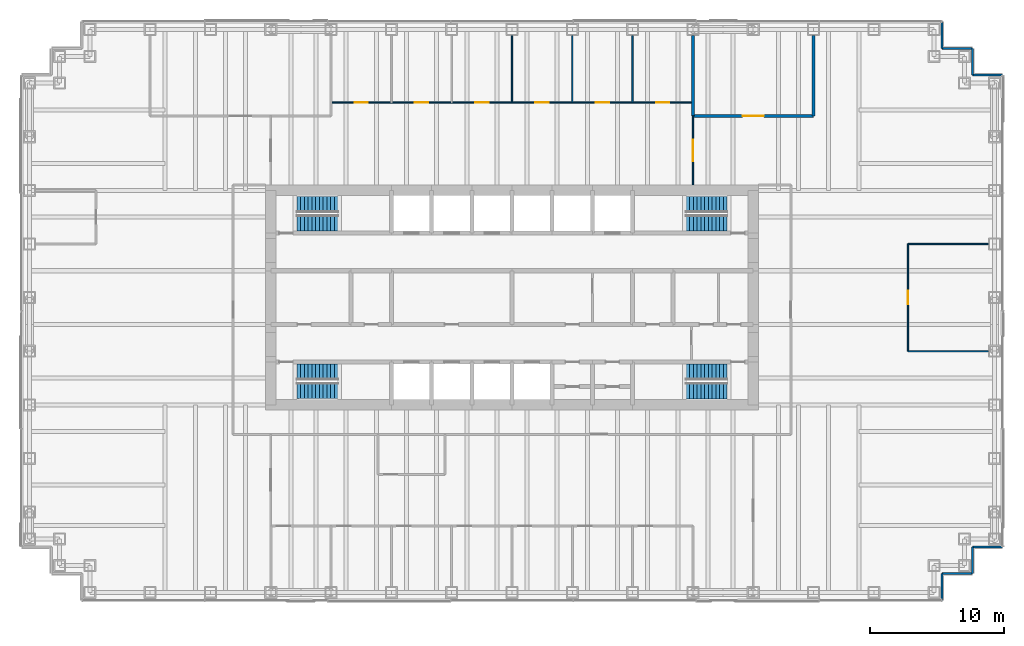
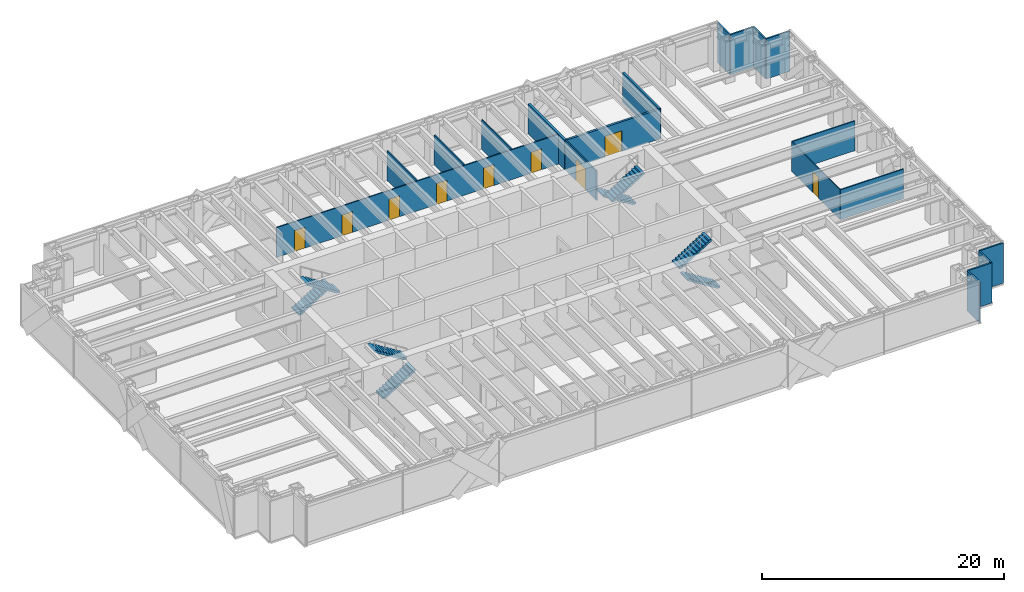
# One storey, part 13 of 14: 19 walls, 9 doors, 8 stair flights, 9 openings, 4 elements without a shape of their own.
"""IFC4 building model written with IfcOpenShell, lengths in metres."""

from ifc_helpers import new_model, si_unit, direction, frame, frame_2d, origin, place, context, subcontext, project, spatial, polyline, rectangle, outline, extrude, material, layer, layer_set, type_object, element, fill, aggregate, save


model = new_model("IFC4")

# Units and contexts
model_context = context("Model", 3, precision=1e-05, world=origin(), true_north=direction((0.0, 1.0)))
body_context = subcontext(model_context, "Body", "Model", "MODEL_VIEW")
ifc_project = project(units=[si_unit("LENGTHUNIT", "METRE"), si_unit("AREAUNIT", "SQUARE_METRE"), si_unit("VOLUMEUNIT", "CUBIC_METRE"), si_unit("PLANEANGLEUNIT", "RADIAN"), si_unit("MASSUNIT", "GRAM", prefix="KILO")], contexts=[model_context])

# Site, building, storey
site_placement = place(None, origin())
site = spatial("IfcSite", under=ifc_project, at=site_placement, CompositionType="ELEMENT")
building_placement = place(site_placement, origin())
building = spatial("IfcBuilding", under=site, at=building_placement, Name="Rheinbord Bourse Tower", CompositionType="ELEMENT")
storey_placement = place(building_placement, frame((0.0, 0.0, 198.39990234375)))
storey = spatial("IfcBuildingStorey", under=building, at=storey_placement, Name="L44", CompositionType="ELEMENT", Elevation=198.39990234375)

# Wall, opening, door
ifc_material_1 = material(Name="Acoustic gypsum board partition", Category="gypsum board")
ifc_layer_1 = layer(ifc_material_1, 0.199951171875)
ifc_layer_set_1 = layer_set([ifc_layer_1], Name="ACOUSTIC PARTITION 200")
wall_type_1 = type_object("IfcWallType", Name="ACOUSTIC PARTITION 200", PredefinedType="PARTITIONING", material=ifc_layer_set_1)
wall_1_placement = place(storey_placement, frame((49.5, 37.550048828125, 0.0), z_axis=(0.0, 0.0, 1.0), x_axis=(1.0, 0.0, 0.0)))
wall_1 = element("IfcWall", 1, at=wall_1_placement, inside=storey, type_object=wall_type_1, Name="Partition L44-13", PredefinedType="PARTITIONING", context=body_context, shape_type="SweptSolid", body=[
    extrude(rectangle(XDim=9.0, YDim=0.199951171875, at=frame_2d((4.5, 0.0))), origin(), (0.0, 0.0, 1.0), 3.0),
])
opening_1_placement = place(wall_1_placement, frame((3.699951171875, 0.0, 0.0)))
opening_1 = element("IfcOpeningElement", 2, at=opening_1_placement, cuts=wall_1, Name="Opening 44D11", PredefinedType="OPENING", context=body_context, shape_type="SweptSolid", body=[
    extrude(rectangle(XDim=1.60009765625, YDim=2.10009765625, at=frame_2d((0.800048828125, 1.050048828125))), frame((0.0, 0.10986328125, 0.0), z_axis=(0.0, -1.0, 0.0), x_axis=(1.0, 0.0, 0.0)), (0.0, 0.0, 1.0), 0.219970703125),
])
ifc_material_2 = material(Name="Timber door", Category="wood")
door_type_1 = type_object("IfcDoorType", Name="DOUBLE ROOM DOOR 1600", OperationType="DOUBLE_DOOR_DOUBLE_SWING", PredefinedType="DOOR", material=ifc_material_2)
door_1_placement = place(opening_1_placement, origin())
door_1 = element("IfcDoor", 3, at=door_1_placement, inside=storey, type_object=door_type_1, Name="Video conference room door L44", OperationType="SINGLE_SWING_LEFT", OverallHeight=2.10009765625, OverallWidth=1.60009765625, PredefinedType="DOOR", context=body_context, shape_type="SweptSolid", body=[
    extrude(rectangle(XDim=1.60009765625, YDim=2.10009765625, at=frame_2d((0.800048828125, 1.050048828125))), frame((0.0, 0.02490234375, 0.0), z_axis=(0.0, -1.0, 0.0), x_axis=(1.0, 0.0, 0.0)), (0.0, 0.0, 1.0), 0.050048828125),
])
fill(opening_1, door_1)

# Walls
for number, where, z_axis, x_axis, name in (
    (4, (49.5, 37.550048828125, 0.0), (0.0, 0.0, 1.0), (0.0, 1.0, 0.0), "Partition L44-37"),
    (5, (58.5, 37.550048828125, 0.0), (0.0, 0.0, 1.0), (0.0, 1.0, 0.0), "Partition L44-40"),
):
    element("IfcWall", number, at=place(storey_placement, frame(where, z_axis=z_axis, x_axis=x_axis)), inside=storey, type_object=wall_type_1, Name=name, PredefinedType="PARTITIONING", context=body_context, shape_type="SweptSolid", body=[
        extrude(rectangle(XDim=6.0, YDim=0.199951171875, at=frame_2d((3.0, 0.0))), origin(), (0.0, 0.0, 1.0), 3.0),
    ])
ifc_material_3 = material(Name="Black metal rainscreen panel", Category="aluminium")
ifc_layer_2 = layer(ifc_material_3, 0.14990234375)
ifc_layer_set_2 = layer_set([ifc_layer_2], Name="CORNER PIER CLADDING 150")
wall_type_2 = type_object("IfcWallType", Name="CORNER PIER CLADDING 150", PredefinedType="ELEMENTEDWALL", material=ifc_layer_set_2)
wall_2_placement = place(storey_placement, frame((68.10009765625, 1.39990234375, 0.0), z_axis=(0.0, 0.0, 1.0), x_axis=(0.0, 1.0, 0.0)))
element("IfcWall", 6, at=wall_2_placement, inside=storey, type_object=wall_type_2, Name="Corner pier cladding L44 2", PredefinedType="ELEMENTEDWALL", context=body_context, shape_type="SweptSolid", body=[
    extrude(rectangle(XDim=2.0, YDim=0.14990234375, at=frame_2d((1.0, 0.0))), origin(), (0.0, 0.0, 1.0), 4.0400390625),
])
wall_3_placement = place(storey_placement, frame((68.10009765625, 3.39990234375, 0.0), z_axis=(0.0, 0.0, 1.0), x_axis=(1.0, 0.0, 0.0)))
element("IfcWall", 7, at=wall_3_placement, inside=storey, type_object=wall_type_2, Name="Corner pier cladding L44 3", PredefinedType="ELEMENTEDWALL", context=body_context, shape_type="SweptSolid", body=[
    extrude(rectangle(XDim=2.25, YDim=0.14990234375, at=frame_2d((1.125, 0.0))), origin(), (0.0, 0.0, 1.0), 4.0400390625),
])
wall_4_placement = place(storey_placement, frame((70.35009765625, 3.39990234375, 0.0), z_axis=(0.0, 0.0, 1.0), x_axis=(0.0, 1.0, 0.0)))
element("IfcWall", 8, at=wall_4_placement, inside=storey, type_object=wall_type_2, Name="Corner pier cladding L44 4", PredefinedType="ELEMENTEDWALL", context=body_context, shape_type="SweptSolid", body=[
    extrude(rectangle(XDim=2.0, YDim=0.14990234375, at=frame_2d((1.0, 0.0))), origin(), (0.0, 0.0, 1.0), 4.0400390625),
])
for number, where, z_axis, x_axis, name in (
    (9, (70.35009765625, 5.39990234375, 0.0), (0.0, 0.0, 1.0), (1.0, 0.0, 0.0), "Corner pier cladding L44 5"),
    (10, (72.60009765625, 40.60009765625, 0.0), (0.0, 0.0, 1.0), (-1.0, 0.0, 0.0), "Corner pier cladding L44 7"),
):
    element("IfcWall", number, at=place(storey_placement, frame(where, z_axis=z_axis, x_axis=x_axis)), inside=storey, type_object=wall_type_2, Name=name, PredefinedType="ELEMENTEDWALL", context=body_context, shape_type="SweptSolid", body=[
        extrude(rectangle(XDim=2.25, YDim=0.14990234375, at=frame_2d((1.125, 0.0))), origin(), (0.0, 0.0, 1.0), 4.0400390625),
    ])
wall_5_placement = place(storey_placement, frame((70.35009765625, 40.60009765625, 0.0), z_axis=(0.0, 0.0, 1.0), x_axis=(0.0, 1.0, 0.0)))
element("IfcWall", 11, at=wall_5_placement, inside=storey, type_object=wall_type_2, Name="Corner pier cladding L44 8", PredefinedType="ELEMENTEDWALL", context=body_context, shape_type="SweptSolid", body=[
    extrude(rectangle(XDim=2.0, YDim=0.14990234375, at=frame_2d((1.0, 0.0))), origin(), (0.0, 0.0, 1.0), 4.0400390625),
])
wall_6_placement = place(storey_placement, frame((70.35009765625, 42.60009765625, 0.0), z_axis=(0.0, 0.0, 1.0), x_axis=(-1.0, 0.0, 0.0)))
element("IfcWall", 12, at=wall_6_placement, inside=storey, type_object=wall_type_2, Name="Corner pier cladding L44 9", PredefinedType="ELEMENTEDWALL", context=body_context, shape_type="SweptSolid", body=[
    extrude(rectangle(XDim=2.25, YDim=0.14990234375, at=frame_2d((1.125, 0.0))), origin(), (0.0, 0.0, 1.0), 4.0400390625),
])
wall_7_placement = place(storey_placement, frame((68.10009765625, 42.60009765625, 0.0), z_axis=(0.0, 0.0, 1.0), x_axis=(0.0, 1.0, 0.0)))
element("IfcWall", 13, at=wall_7_placement, inside=storey, type_object=wall_type_2, Name="Corner pier cladding L44 10", PredefinedType="ELEMENTEDWALL", context=body_context, shape_type="SweptSolid", body=[
    extrude(rectangle(XDim=2.0, YDim=0.14990234375, at=frame_2d((1.0, 0.0))), origin(), (0.0, 0.0, 1.0), 4.0400390625),
])
ifc_material_4 = material(Name="Toughened laminated glass partition", Category="glass")
ifc_layer_3 = layer(ifc_material_4, 0.10009765625)
ifc_layer_set_3 = layer_set([ifc_layer_3], Name="GLAZED PARTITION 100")
wall_type_3 = type_object("IfcWallType", Name="GLAZED PARTITION 100", PredefinedType="PARTITIONING", material=ifc_layer_set_3)
for number, where, z_axis, x_axis, name in (
    (14, (65.550048828125, 20.0, 0.0), (0.0, 0.0, 1.0), (1.0, 0.0, 0.0), "Partition L44-06"),
    (15, (65.550048828125, 28.0, 0.0), (0.0, 0.0, 1.0), (1.0, 0.0, 0.0), "Partition L44-08"),
):
    element("IfcWall", number, at=place(storey_placement, frame(where, z_axis=z_axis, x_axis=x_axis)), inside=storey, type_object=wall_type_3, Name=name, PredefinedType="PARTITIONING", context=body_context, shape_type="SweptSolid", body=[
        extrude(rectangle(XDim=6.0, YDim=0.10009765625, at=frame_2d((3.0, 0.0))), origin(), (0.0, 0.0, 1.0), 3.0),
    ])

# Wall, openings, doors
wall_8_placement = place(storey_placement, frame((22.5, 38.550048828125, 0.0), z_axis=(0.0, 0.0, 1.0), x_axis=(1.0, 0.0, 0.0)))
wall_8 = element("IfcWall", 16, at=wall_8_placement, inside=storey, type_object=wall_type_3, Name="Partition L44-14", PredefinedType="PARTITIONING", context=body_context, shape_type="SweptSolid", body=[
    extrude(rectangle(XDim=27.0, YDim=0.10009765625, at=frame_2d((13.5, 0.0))), origin(), (0.0, 0.0, 1.0), 3.0),
])
opening_2_placement = place(wall_8_placement, frame((1.75, 0.0, 0.0)))
opening_2 = element("IfcOpeningElement", 17, at=opening_2_placement, cuts=wall_8, Name="Opening 44D13", PredefinedType="OPENING", context=body_context, shape_type="SweptSolid", body=[
    extrude(rectangle(XDim=1.0, YDim=2.10009765625, at=frame_2d((0.5, 1.050048828125))), frame((0.0, 0.06005859375, 0.0), z_axis=(0.0, -1.0, 0.0), x_axis=(1.0, 0.0, 0.0)), (0.0, 0.0, 1.0), 0.1201171875),
])
opening_3_placement = place(wall_8_placement, frame((6.25, 0.0, 0.0)))
opening_3 = element("IfcOpeningElement", 18, at=opening_3_placement, cuts=wall_8, Name="Opening 44D14", PredefinedType="OPENING", context=body_context, shape_type="SweptSolid", body=[
    extrude(rectangle(XDim=1.0, YDim=2.10009765625, at=frame_2d((0.5, 1.050048828125))), frame((0.0, 0.06005859375, 0.0), z_axis=(0.0, -1.0, 0.0), x_axis=(1.0, 0.0, 0.0)), (0.0, 0.0, 1.0), 0.1201171875),
])
opening_4_placement = place(wall_8_placement, frame((10.75, 0.0, 0.0)))
opening_4 = element("IfcOpeningElement", 19, at=opening_4_placement, cuts=wall_8, Name="Opening 44D15", PredefinedType="OPENING", context=body_context, shape_type="SweptSolid", body=[
    extrude(rectangle(XDim=1.0, YDim=2.10009765625, at=frame_2d((0.5, 1.050048828125))), frame((0.0, 0.06005859375, 0.0), z_axis=(0.0, -1.0, 0.0), x_axis=(1.0, 0.0, 0.0)), (0.0, 0.0, 1.0), 0.1201171875),
])
opening_5_placement = place(wall_8_placement, frame((15.25, 0.0, 0.0)))
opening_5 = element("IfcOpeningElement", 20, at=opening_5_placement, cuts=wall_8, Name="Opening 44D16", PredefinedType="OPENING", context=body_context, shape_type="SweptSolid", body=[
    extrude(rectangle(XDim=1.0, YDim=2.10009765625, at=frame_2d((0.5, 1.050048828125))), frame((0.0, 0.06005859375, 0.0), z_axis=(0.0, -1.0, 0.0), x_axis=(1.0, 0.0, 0.0)), (0.0, 0.0, 1.0), 0.1201171875),
])
opening_6_placement = place(wall_8_placement, frame((19.75, 0.0, 0.0)))
opening_6 = element("IfcOpeningElement", 21, at=opening_6_placement, cuts=wall_8, Name="Opening 44D17", PredefinedType="OPENING", context=body_context, shape_type="SweptSolid", body=[
    extrude(rectangle(XDim=1.0, YDim=2.10009765625, at=frame_2d((0.5, 1.050048828125))), frame((0.0, 0.06005859375, 0.0), z_axis=(0.0, -1.0, 0.0), x_axis=(1.0, 0.0, 0.0)), (0.0, 0.0, 1.0), 0.1201171875),
])
opening_7_placement = place(wall_8_placement, frame((24.25, 0.0, 0.0)))
opening_7 = element("IfcOpeningElement", 22, at=opening_7_placement, cuts=wall_8, Name="Opening 44D18", PredefinedType="OPENING", context=body_context, shape_type="SweptSolid", body=[
    extrude(rectangle(XDim=1.0, YDim=2.10009765625, at=frame_2d((0.5, 1.050048828125))), frame((0.0, 0.06005859375, 0.0), z_axis=(0.0, -1.0, 0.0), x_axis=(1.0, 0.0, 0.0)), (0.0, 0.0, 1.0), 0.1201171875),
])
ifc_material_5 = material(Name="Timber door", Category="wood")
door_type_2 = type_object("IfcDoorType", Name="ROOM DOOR 1000", OperationType="SINGLE_SWING_LEFT", PredefinedType="DOOR", material=ifc_material_5)
door_2_placement = place(opening_2_placement, origin())
door_2 = element("IfcDoor", 23, at=door_2_placement, inside=storey, type_object=door_type_2, Name="Client meeting room door L44", OperationType="SINGLE_SWING_LEFT", OverallHeight=2.10009765625, OverallWidth=1.0, PredefinedType="DOOR", context=body_context, shape_type="SweptSolid", body=[
    extrude(rectangle(XDim=1.0, YDim=2.10009765625, at=frame_2d((0.5, 1.050048828125))), frame((0.0, 0.02490234375, 0.0), z_axis=(0.0, -1.0, 0.0), x_axis=(1.0, 0.0, 0.0)), (0.0, 0.0, 1.0), 0.050048828125),
])
fill(opening_2, door_2)
door_3_placement = place(opening_3_placement, origin())
door_3 = element("IfcDoor", 24, at=door_3_placement, inside=storey, type_object=door_type_2, Name="Client meeting room door L44", OperationType="SINGLE_SWING_LEFT", OverallHeight=2.10009765625, OverallWidth=1.0, PredefinedType="DOOR", context=body_context, shape_type="SweptSolid", body=[
    extrude(rectangle(XDim=1.0, YDim=2.10009765625, at=frame_2d((0.5, 1.050048828125))), frame((0.0, 0.02490234375, 0.0), z_axis=(0.0, -1.0, 0.0), x_axis=(1.0, 0.0, 0.0)), (0.0, 0.0, 1.0), 0.050048828125),
])
fill(opening_3, door_3)
door_4_placement = place(opening_4_placement, origin())
door_4 = element("IfcDoor", 25, at=door_4_placement, inside=storey, type_object=door_type_2, Name="Client meeting room door L44", OperationType="SINGLE_SWING_LEFT", OverallHeight=2.10009765625, OverallWidth=1.0, PredefinedType="DOOR", context=body_context, shape_type="SweptSolid", body=[
    extrude(rectangle(XDim=1.0, YDim=2.10009765625, at=frame_2d((0.5, 1.050048828125))), frame((0.0, 0.02490234375, 0.0), z_axis=(0.0, -1.0, 0.0), x_axis=(1.0, 0.0, 0.0)), (0.0, 0.0, 1.0), 0.050048828125),
])
fill(opening_4, door_4)
door_5_placement = place(opening_5_placement, origin())
door_5 = element("IfcDoor", 26, at=door_5_placement, inside=storey, type_object=door_type_2, Name="Client meeting room door L44", OperationType="SINGLE_SWING_RIGHT", OverallHeight=2.10009765625, OverallWidth=1.0, PredefinedType="DOOR", context=body_context, shape_type="SweptSolid", body=[
    extrude(rectangle(XDim=1.0, YDim=2.10009765625, at=frame_2d((0.5, 1.050048828125))), frame((0.0, 0.02490234375, 0.0), z_axis=(0.0, -1.0, 0.0), x_axis=(1.0, 0.0, 0.0)), (0.0, 0.0, 1.0), 0.050048828125),
])
fill(opening_5, door_5)
door_6_placement = place(opening_6_placement, origin())
door_6 = element("IfcDoor", 27, at=door_6_placement, inside=storey, type_object=door_type_2, Name="Client meeting room door L44", OperationType="SINGLE_SWING_RIGHT", OverallHeight=2.10009765625, OverallWidth=1.0, PredefinedType="DOOR", context=body_context, shape_type="SweptSolid", body=[
    extrude(rectangle(XDim=1.0, YDim=2.10009765625, at=frame_2d((0.5, 1.050048828125))), frame((0.0, 0.02490234375, 0.0), z_axis=(0.0, -1.0, 0.0), x_axis=(1.0, 0.0, 0.0)), (0.0, 0.0, 1.0), 0.050048828125),
])
fill(opening_6, door_6)
door_7_placement = place(opening_7_placement, origin())
door_7 = element("IfcDoor", 28, at=door_7_placement, inside=storey, type_object=door_type_2, Name="Client meeting room door L44", OperationType="SINGLE_SWING_RIGHT", OverallHeight=2.10009765625, OverallWidth=1.0, PredefinedType="DOOR", context=body_context, shape_type="SweptSolid", body=[
    extrude(rectangle(XDim=1.0, YDim=2.10009765625, at=frame_2d((0.5, 1.050048828125))), frame((0.0, 0.02490234375, 0.0), z_axis=(0.0, -1.0, 0.0), x_axis=(1.0, 0.0, 0.0)), (0.0, 0.0, 1.0), 0.050048828125),
])
fill(opening_7, door_7)

# Walls
for number, where, z_axis, x_axis, name in (
    (29, (36.0, 38.550048828125, 0.0), (0.0, 0.0, 1.0), (0.0, 1.0, 0.0), "Partition L44-30"),
    (30, (40.5, 38.550048828125, 0.0), (0.0, 0.0, 1.0), (0.0, 1.0, 0.0), "Partition L44-32"),
    (31, (45.0, 38.550048828125, 0.0), (0.0, 0.0, 1.0), (0.0, 1.0, 0.0), "Partition L44-34"),
):
    element("IfcWall", number, at=place(storey_placement, frame(where, z_axis=z_axis, x_axis=x_axis)), inside=storey, type_object=wall_type_3, Name=name, PredefinedType="PARTITIONING", context=body_context, shape_type="SweptSolid", body=[
        extrude(rectangle(XDim=5.0, YDim=0.10009765625, at=frame_2d((2.5, 0.0))), origin(), (0.0, 0.0, 1.0), 3.0),
    ])

# Wall, opening, door
wall_9_placement = place(storey_placement, frame((49.5, 32.39990234375, 0.0), z_axis=(0.0, 0.0, 1.0), x_axis=(0.0, 1.0, 0.0)))
wall_9 = element("IfcWall", 32, at=wall_9_placement, inside=storey, type_object=wall_type_3, Name="Partition L44-36", PredefinedType="PARTITIONING", context=body_context, shape_type="SweptSolid", body=[
    extrude(rectangle(XDim=5.150146484375, YDim=0.10009765625, at=frame_2d((2.5751953125, 0.0))), origin(), (0.0, 0.0, 1.0), 3.0),
])
opening_8_placement = place(wall_9_placement, frame((1.77490234375, 0.0, 0.0)))
opening_8 = element("IfcOpeningElement", 33, at=opening_8_placement, cuts=wall_9, Name="Opening 44D22", PredefinedType="OPENING", context=body_context, shape_type="SweptSolid", body=[
    extrude(rectangle(XDim=1.60009765625, YDim=2.10009765625, at=frame_2d((0.800048828125, 1.050048828125))), frame((0.0, 0.06005859375, 0.0), z_axis=(0.0, -1.0, 0.0), x_axis=(1.0, 0.0, 0.0)), (0.0, 0.0, 1.0), 0.1201171875),
])
door_8_placement = place(opening_8_placement, origin())
door_8 = element("IfcDoor", 34, at=door_8_placement, inside=storey, type_object=door_type_1, Name="Open area door L44", OperationType="SINGLE_SWING_LEFT", OverallHeight=2.10009765625, OverallWidth=1.60009765625, PredefinedType="DOOR", context=body_context, shape_type="SweptSolid", body=[
    extrude(rectangle(XDim=1.60009765625, YDim=2.10009765625, at=frame_2d((0.800048828125, 1.050048828125))), frame((0.0, 0.02490234375, 0.0), z_axis=(0.0, -1.0, 0.0), x_axis=(1.0, 0.0, 0.0)), (0.0, 0.0, 1.0), 0.050048828125),
])
fill(opening_8, door_8)

wall_10_placement = place(storey_placement, frame((65.550048828125, 20.0, 0.0), z_axis=(0.0, 0.0, 1.0), x_axis=(0.0, 1.0, 0.0)))
wall_10 = element("IfcWall", 35, at=wall_10_placement, inside=storey, type_object=wall_type_3, Name="Partition L44-41", PredefinedType="PARTITIONING", context=body_context, shape_type="SweptSolid", body=[
    extrude(rectangle(XDim=8.0, YDim=0.10009765625, at=frame_2d((4.0, 0.0))), origin(), (0.0, 0.0, 1.0), 3.0),
])
opening_9_placement = place(wall_10_placement, frame((3.5, 0.0, 0.0)))
opening_9 = element("IfcOpeningElement", 36, at=opening_9_placement, cuts=wall_10, Name="Opening 44D09", PredefinedType="OPENING", context=body_context, shape_type="SweptSolid", body=[
    extrude(rectangle(XDim=1.0, YDim=2.10009765625, at=frame_2d((0.5, 1.050048828125))), frame((0.0, 0.06005859375, 0.0), z_axis=(0.0, -1.0, 0.0), x_axis=(1.0, 0.0, 0.0)), (0.0, 0.0, 1.0), 0.1201171875),
])
door_9_placement = place(opening_9_placement, origin())
door_9 = element("IfcDoor", 37, at=door_9_placement, inside=storey, type_object=door_type_2, Name="Meeting room door L44", OperationType="SINGLE_SWING_LEFT", OverallHeight=2.10009765625, OverallWidth=1.0, PredefinedType="DOOR", context=body_context, shape_type="SweptSolid", body=[
    extrude(rectangle(XDim=1.0, YDim=2.10009765625, at=frame_2d((0.5, 1.050048828125))), frame((0.0, 0.02490234375, 0.0), z_axis=(0.0, -1.0, 0.0), x_axis=(1.0, 0.0, 0.0)), (0.0, 0.0, 1.0), 0.050048828125),
])
fill(opening_9, door_9)

# Stair, stair flights
ifc_material_6 = material(Name="Concrete C30/37", Category="concrete")
stair_type = type_object("IfcStairType", Name="CORE STAIR HALF TURN 4200", PredefinedType="HALF_TURN_STAIR", material=ifc_material_6)
stair_1_placement = place(storey_placement, origin())
stair_1 = element("IfcStair", 38, at=stair_1_placement, inside=storey, type_object=stair_type, Name="Stair ST1 L44, type CS6", PredefinedType="HALF_TURN_STAIR")
ifc_material_7 = material(Name="Concrete C30/37", Category="concrete")
stair_flight_type = type_object("IfcStairFlightType", Name="CORE STAIR FLIGHT 1200, 12 RISERS", PredefinedType="STRAIGHT", material=ifc_material_7)
stair_flight_1_placement = place(storey_placement, frame((19.949951171875, 17.050048828125, 0.0), z_axis=(0.0, 0.0, 1.0), x_axis=(1.0, 0.0, 0.0)))
stair_flight_1 = element("IfcStairFlight", 39, at=stair_flight_1_placement, type_object=stair_flight_type, Name="STAIR L44 ST1 F1", NumberOfRisers=12, NumberOfTreads=11, PredefinedType="STRAIGHT", RiserHeight=0.175, TreadLength=0.28, context=body_context, shape_type="SweptSolid", body=[
    extrude(outline(polyline([(0.0, 0.0), (0.0, 0.175048828125), (0.280029296875, 0.175048828125), (0.280029296875, 0.35009765625), (0.56005859375, 0.35009765625), (0.56005859375, 0.52490234375), (0.840087890625, 0.52490234375), (0.840087890625, 0.699951171875), (1.1201171875, 0.699951171875), (1.1201171875, 0.875), (1.39990234375, 0.875), (1.39990234375, 1.050048828125), (1.679931640625, 1.050048828125), (1.679931640625, 1.22509765625), (1.9599609375, 1.22509765625), (1.9599609375, 1.39990234375), (2.239990234375, 1.39990234375), (2.239990234375, 1.574951171875), (2.52001953125, 1.574951171875), (2.52001953125, 1.75), (2.800048828125, 1.75), (2.800048828125, 1.925048828125), (3.080078125, 1.925048828125), (3.080078125, 2.10009765625), (3.080078125, 1.748291015625), (0.28271484375, 0.0), (0.0, 0.0)])), frame((0.0, 0.60009765625, 0.0), z_axis=(0.0, -1.0, 0.0), x_axis=(1.0, 0.0, 0.0)), (0.0, 0.0, 1.0), 1.199951171875),
])
stair_flight_2_placement = place(storey_placement, frame((23.030029296875, 18.449951171875, 2.10009765625), z_axis=(0.0, 0.0, 1.0), x_axis=(-1.0, 0.0, 0.0)))
stair_flight_2 = element("IfcStairFlight", 40, at=stair_flight_2_placement, type_object=stair_flight_type, Name="STAIR L44 ST1 F2", NumberOfRisers=12, NumberOfTreads=11, PredefinedType="STRAIGHT", RiserHeight=0.175, TreadLength=0.28, context=body_context, shape_type="SweptSolid", body=[
    extrude(outline(polyline([(0.0, 0.0), (0.0, 0.175048828125), (0.280029296875, 0.175048828125), (0.280029296875, 0.35009765625), (0.56005859375, 0.35009765625), (0.56005859375, 0.52490234375), (0.840087890625, 0.52490234375), (0.840087890625, 0.699951171875), (1.1201171875, 0.699951171875), (1.1201171875, 0.875), (1.39990234375, 0.875), (1.39990234375, 1.050048828125), (1.679931640625, 1.050048828125), (1.679931640625, 1.22509765625), (1.9599609375, 1.22509765625), (1.9599609375, 1.39990234375), (2.239990234375, 1.39990234375), (2.239990234375, 1.574951171875), (2.52001953125, 1.574951171875), (2.52001953125, 1.75), (2.800048828125, 1.75), (2.800048828125, 1.925048828125), (3.080078125, 1.925048828125), (3.080078125, 2.10009765625), (3.080078125, 1.748291015625), (0.28271484375, 0.0), (0.0, 0.0)])), frame((0.0, 0.60009765625, 0.0), z_axis=(0.0, -1.0, 0.0), x_axis=(1.0, 0.0, 0.0)), (0.0, 0.0, 1.0), 1.199951171875),
])
aggregate(stair_1, [stair_flight_1, stair_flight_2])

stair_2_placement = place(storey_placement, origin())
stair_2 = element("IfcStair", 41, at=stair_2_placement, inside=storey, type_object=stair_type, Name="Stair ST2 L44, type CS6", PredefinedType="HALF_TURN_STAIR")
stair_flight_3_placement = place(storey_placement, frame((19.949951171875, 30.949951171875, 0.0), z_axis=(0.0, 0.0, 1.0), x_axis=(1.0, 0.0, 0.0)))
stair_flight_3 = element("IfcStairFlight", 42, at=stair_flight_3_placement, type_object=stair_flight_type, Name="STAIR L44 ST2 F1", NumberOfRisers=12, NumberOfTreads=11, PredefinedType="STRAIGHT", RiserHeight=0.175, TreadLength=0.28, context=body_context, shape_type="SweptSolid", body=[
    extrude(outline(polyline([(0.0, 0.0), (0.0, 0.175048828125), (0.280029296875, 0.175048828125), (0.280029296875, 0.35009765625), (0.56005859375, 0.35009765625), (0.56005859375, 0.52490234375), (0.840087890625, 0.52490234375), (0.840087890625, 0.699951171875), (1.1201171875, 0.699951171875), (1.1201171875, 0.875), (1.39990234375, 0.875), (1.39990234375, 1.050048828125), (1.679931640625, 1.050048828125), (1.679931640625, 1.22509765625), (1.9599609375, 1.22509765625), (1.9599609375, 1.39990234375), (2.239990234375, 1.39990234375), (2.239990234375, 1.574951171875), (2.52001953125, 1.574951171875), (2.52001953125, 1.75), (2.800048828125, 1.75), (2.800048828125, 1.925048828125), (3.080078125, 1.925048828125), (3.080078125, 2.10009765625), (3.080078125, 1.748291015625), (0.28271484375, 0.0), (0.0, 0.0)])), frame((0.0, 0.60009765625, 0.0), z_axis=(0.0, -1.0, 0.0), x_axis=(1.0, 0.0, 0.0)), (0.0, 0.0, 1.0), 1.199951171875),
])
stair_flight_4_placement = place(storey_placement, frame((23.030029296875, 29.550048828125, 2.10009765625), z_axis=(0.0, 0.0, 1.0), x_axis=(-1.0, 0.0, 0.0)))
stair_flight_4 = element("IfcStairFlight", 43, at=stair_flight_4_placement, type_object=stair_flight_type, Name="STAIR L44 ST2 F2", NumberOfRisers=12, NumberOfTreads=11, PredefinedType="STRAIGHT", RiserHeight=0.175, TreadLength=0.28, context=body_context, shape_type="SweptSolid", body=[
    extrude(outline(polyline([(0.0, 0.0), (0.0, 0.175048828125), (0.280029296875, 0.175048828125), (0.280029296875, 0.35009765625), (0.56005859375, 0.35009765625), (0.56005859375, 0.52490234375), (0.840087890625, 0.52490234375), (0.840087890625, 0.699951171875), (1.1201171875, 0.699951171875), (1.1201171875, 0.875), (1.39990234375, 0.875), (1.39990234375, 1.050048828125), (1.679931640625, 1.050048828125), (1.679931640625, 1.22509765625), (1.9599609375, 1.22509765625), (1.9599609375, 1.39990234375), (2.239990234375, 1.39990234375), (2.239990234375, 1.574951171875), (2.52001953125, 1.574951171875), (2.52001953125, 1.75), (2.800048828125, 1.75), (2.800048828125, 1.925048828125), (3.080078125, 1.925048828125), (3.080078125, 2.10009765625), (3.080078125, 1.748291015625), (0.28271484375, 0.0), (0.0, 0.0)])), frame((0.0, 0.60009765625, 0.0), z_axis=(0.0, -1.0, 0.0), x_axis=(1.0, 0.0, 0.0)), (0.0, 0.0, 1.0), 1.199951171875),
])
aggregate(stair_2, [stair_flight_3, stair_flight_4])

stair_3_placement = place(storey_placement, origin())
stair_3 = element("IfcStair", 44, at=stair_3_placement, inside=storey, type_object=stair_type, Name="Stair ST3 L44, type CS6", PredefinedType="HALF_TURN_STAIR")
stair_flight_5_placement = place(storey_placement, frame((52.050048828125, 17.050048828125, 0.0), z_axis=(0.0, 0.0, 1.0), x_axis=(-1.0, 0.0, 0.0)))
stair_flight_5 = element("IfcStairFlight", 45, at=stair_flight_5_placement, type_object=stair_flight_type, Name="STAIR L44 ST3 F1", NumberOfRisers=12, NumberOfTreads=11, PredefinedType="STRAIGHT", RiserHeight=0.175, TreadLength=0.28, context=body_context, shape_type="SweptSolid", body=[
    extrude(outline(polyline([(0.0, 0.0), (0.0, 0.175048828125), (0.280029296875, 0.175048828125), (0.280029296875, 0.35009765625), (0.56005859375, 0.35009765625), (0.56005859375, 0.52490234375), (0.840087890625, 0.52490234375), (0.840087890625, 0.699951171875), (1.1201171875, 0.699951171875), (1.1201171875, 0.875), (1.39990234375, 0.875), (1.39990234375, 1.050048828125), (1.679931640625, 1.050048828125), (1.679931640625, 1.22509765625), (1.9599609375, 1.22509765625), (1.9599609375, 1.39990234375), (2.239990234375, 1.39990234375), (2.239990234375, 1.574951171875), (2.52001953125, 1.574951171875), (2.52001953125, 1.75), (2.800048828125, 1.75), (2.800048828125, 1.925048828125), (3.080078125, 1.925048828125), (3.080078125, 2.10009765625), (3.080078125, 1.748291015625), (0.28271484375, 0.0), (0.0, 0.0)])), frame((0.0, 0.60009765625, 0.0), z_axis=(0.0, -1.0, 0.0), x_axis=(1.0, 0.0, 0.0)), (0.0, 0.0, 1.0), 1.199951171875),
])
stair_flight_6_placement = place(storey_placement, frame((48.969970703125, 18.449951171875, 2.10009765625), z_axis=(0.0, 0.0, 1.0), x_axis=(1.0, 0.0, 0.0)))
stair_flight_6 = element("IfcStairFlight", 46, at=stair_flight_6_placement, type_object=stair_flight_type, Name="STAIR L44 ST3 F2", NumberOfRisers=12, NumberOfTreads=11, PredefinedType="STRAIGHT", RiserHeight=0.175, TreadLength=0.28, context=body_context, shape_type="SweptSolid", body=[
    extrude(outline(polyline([(0.0, 0.0), (0.0, 0.175048828125), (0.280029296875, 0.175048828125), (0.280029296875, 0.35009765625), (0.56005859375, 0.35009765625), (0.56005859375, 0.52490234375), (0.840087890625, 0.52490234375), (0.840087890625, 0.699951171875), (1.1201171875, 0.699951171875), (1.1201171875, 0.875), (1.39990234375, 0.875), (1.39990234375, 1.050048828125), (1.679931640625, 1.050048828125), (1.679931640625, 1.22509765625), (1.9599609375, 1.22509765625), (1.9599609375, 1.39990234375), (2.239990234375, 1.39990234375), (2.239990234375, 1.574951171875), (2.52001953125, 1.574951171875), (2.52001953125, 1.75), (2.800048828125, 1.75), (2.800048828125, 1.925048828125), (3.080078125, 1.925048828125), (3.080078125, 2.10009765625), (3.080078125, 1.748291015625), (0.28271484375, 0.0), (0.0, 0.0)])), frame((0.0, 0.60009765625, 0.0), z_axis=(0.0, -1.0, 0.0), x_axis=(1.0, 0.0, 0.0)), (0.0, 0.0, 1.0), 1.199951171875),
])
aggregate(stair_3, [stair_flight_5, stair_flight_6])

stair_4_placement = place(storey_placement, origin())
stair_4 = element("IfcStair", 47, at=stair_4_placement, inside=storey, type_object=stair_type, Name="Stair ST4 L44, type CS6", PredefinedType="HALF_TURN_STAIR")
stair_flight_7_placement = place(storey_placement, frame((52.050048828125, 30.949951171875, 0.0), z_axis=(0.0, 0.0, 1.0), x_axis=(-1.0, 0.0, 0.0)))
stair_flight_7 = element("IfcStairFlight", 48, at=stair_flight_7_placement, type_object=stair_flight_type, Name="STAIR L44 ST4 F1", NumberOfRisers=12, NumberOfTreads=11, PredefinedType="STRAIGHT", RiserHeight=0.175, TreadLength=0.28, context=body_context, shape_type="SweptSolid", body=[
    extrude(outline(polyline([(0.0, 0.0), (0.0, 0.175048828125), (0.280029296875, 0.175048828125), (0.280029296875, 0.35009765625), (0.56005859375, 0.35009765625), (0.56005859375, 0.52490234375), (0.840087890625, 0.52490234375), (0.840087890625, 0.699951171875), (1.1201171875, 0.699951171875), (1.1201171875, 0.875), (1.39990234375, 0.875), (1.39990234375, 1.050048828125), (1.679931640625, 1.050048828125), (1.679931640625, 1.22509765625), (1.9599609375, 1.22509765625), (1.9599609375, 1.39990234375), (2.239990234375, 1.39990234375), (2.239990234375, 1.574951171875), (2.52001953125, 1.574951171875), (2.52001953125, 1.75), (2.800048828125, 1.75), (2.800048828125, 1.925048828125), (3.080078125, 1.925048828125), (3.080078125, 2.10009765625), (3.080078125, 1.748291015625), (0.28271484375, 0.0), (0.0, 0.0)])), frame((0.0, 0.60009765625, 0.0), z_axis=(0.0, -1.0, 0.0), x_axis=(1.0, 0.0, 0.0)), (0.0, 0.0, 1.0), 1.199951171875),
])
stair_flight_8_placement = place(storey_placement, frame((48.969970703125, 29.550048828125, 2.10009765625), z_axis=(0.0, 0.0, 1.0), x_axis=(1.0, 0.0, 0.0)))
stair_flight_8 = element("IfcStairFlight", 49, at=stair_flight_8_placement, type_object=stair_flight_type, Name="STAIR L44 ST4 F2", NumberOfRisers=12, NumberOfTreads=11, PredefinedType="STRAIGHT", RiserHeight=0.175, TreadLength=0.28, context=body_context, shape_type="SweptSolid", body=[
    extrude(outline(polyline([(0.0, 0.0), (0.0, 0.175048828125), (0.280029296875, 0.175048828125), (0.280029296875, 0.35009765625), (0.56005859375, 0.35009765625), (0.56005859375, 0.52490234375), (0.840087890625, 0.52490234375), (0.840087890625, 0.699951171875), (1.1201171875, 0.699951171875), (1.1201171875, 0.875), (1.39990234375, 0.875), (1.39990234375, 1.050048828125), (1.679931640625, 1.050048828125), (1.679931640625, 1.22509765625), (1.9599609375, 1.22509765625), (1.9599609375, 1.39990234375), (2.239990234375, 1.39990234375), (2.239990234375, 1.574951171875), (2.52001953125, 1.574951171875), (2.52001953125, 1.75), (2.800048828125, 1.75), (2.800048828125, 1.925048828125), (3.080078125, 1.925048828125), (3.080078125, 2.10009765625), (3.080078125, 1.748291015625), (0.28271484375, 0.0), (0.0, 0.0)])), frame((0.0, 0.60009765625, 0.0), z_axis=(0.0, -1.0, 0.0), x_axis=(1.0, 0.0, 0.0)), (0.0, 0.0, 1.0), 1.199951171875),
])
aggregate(stair_4, [stair_flight_7, stair_flight_8])

save(model, "model.ifc")
